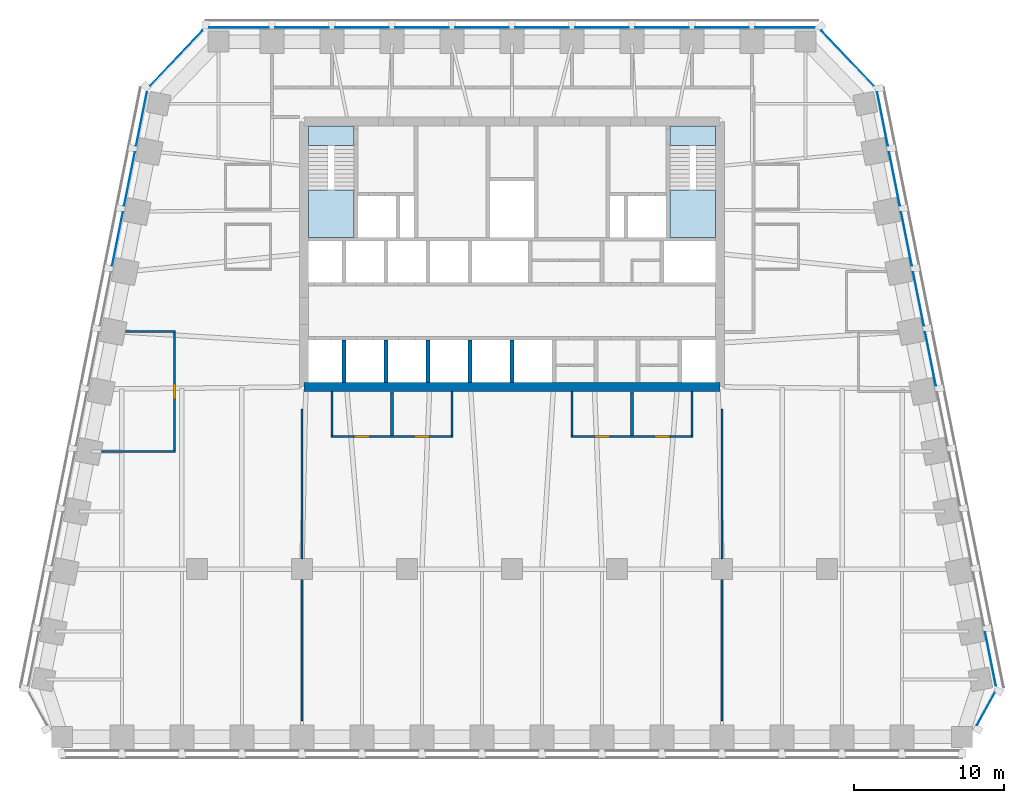
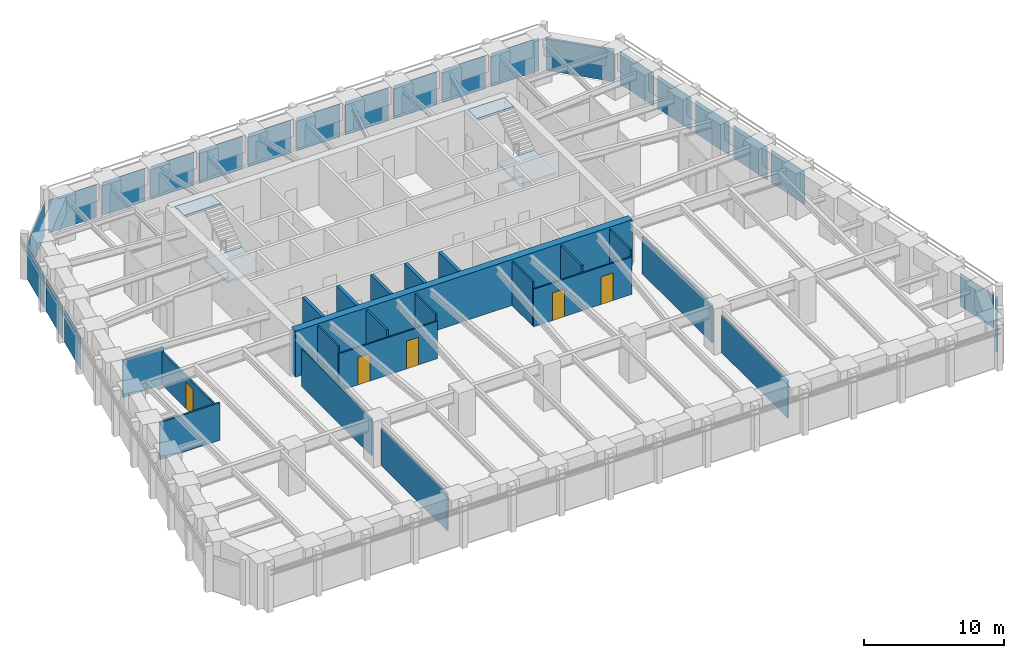
# One storey, part 5 of 10: 22 plates, 21 walls, 5 doors, 4 slabs, 5 openings, 8 elements without a shape of their own.
"""IFC4 building model written with IfcOpenShell, lengths in metres."""

from ifc_helpers import new_model, si_unit, direction, frame, frame_2d, origin, origin_2d, place, context, subcontext, project, spatial, polyline, rectangle, outline, extrude, material, layer, layer_set, type_object, element, fill, aggregate, save


model = new_model("IFC4")

# Units and contexts
model_context = context("Model", 3, precision=1e-05, world=origin(), true_north=direction((0.0, 1.0)))
body_context = subcontext(model_context, "Body", "Model", "MODEL_VIEW")
ifc_project = project(units=[si_unit("LENGTHUNIT", "METRE"), si_unit("AREAUNIT", "SQUARE_METRE"), si_unit("VOLUMEUNIT", "CUBIC_METRE"), si_unit("PLANEANGLEUNIT", "RADIAN"), si_unit("MASSUNIT", "GRAM", prefix="KILO")], contexts=[model_context])

# Site, building, storey
site_placement = place(None, origin())
site = spatial("IfcSite", under=ifc_project, at=site_placement, CompositionType="ELEMENT")
building_placement = place(site_placement, origin())
building = spatial("IfcBuilding", under=site, at=building_placement, Name="Isbrekke Arena Tower", CompositionType="ELEMENT")
storey_placement = place(building_placement, frame((0.0, 0.0, 222.0)))
storey = spatial("IfcBuildingStorey", under=building, at=storey_placement, Name="L51", CompositionType="ELEMENT", Elevation=222.0)

# Curtain wall, plate
ifc_material_1 = material(Name="Glazed aluminium curtain wall", Category="aluminium")
curtain_wall_type = type_object("IfcCurtainWallType", Name="CWH TOWER CURTAIN WALL HIGH ZONE", PredefinedType="USERDEFINED", material=ifc_material_1)
curtain_wall_1_placement = place(storey_placement, origin())
curtain_wall_1 = element("IfcCurtainWall", 1, at=curtain_wall_1_placement, inside=storey, type_object=curtain_wall_type, Name="CWH curtain wall L51-SE", ObjectType="TOWER CURTAIN WALL HIGH ZONE", PredefinedType="USERDEFINED")
ifc_material_2 = material(Name="Triple-glazed clear glass unit", Category="glass")
ifc_layer_1 = layer(ifc_material_2, 0.031982421875)
ifc_layer_set_1 = layer_set([ifc_layer_1], Name="CWH-P VISION PANEL")
plate_type = type_object("IfcPlateType", Name="CWH-P VISION PANEL", PredefinedType="CURTAIN_PANEL", material=ifc_layer_set_1)
plate_1_placement = place(storey_placement, frame((31.5908203125, -15.3154296875, 0.02001953125), z_axis=(0.0, 0.0, 1.0), x_axis=(0.481918749773, 0.876215908676, 0.0)))
plate_1 = element("IfcPlate", 2, at=plate_1_placement, type_object=plate_type, Name="CWH-P panel 1", PredefinedType="CURTAIN_PANEL", context=body_context, shape_type="SweptSolid", body=[
    extrude(rectangle(XDim=2.4423828125, YDim=0.031982421875, at=origin_2d()), origin(), (0.0, 0.0, 1.0), 2.8798828125),
])
aggregate(curtain_wall_1, [plate_1])

# Curtain wall, plates
curtain_wall_2_placement = place(storey_placement, origin())
curtain_wall_2 = element("IfcCurtainWall", 3, at=curtain_wall_2_placement, inside=storey, type_object=curtain_wall_type, Name="CWH curtain wall L51-E", ObjectType="TOWER CURTAIN WALL HIGH ZONE", PredefinedType="USERDEFINED")
plate_2_placement = place(storey_placement, frame((31.89794921875, -11.98046875, 0.02001953125), z_axis=(0.0, 0.0, 1.0), x_axis=(-0.196116135138, 0.980580675691, 0.0)))
plate_2 = element("IfcPlate", 4, at=plate_2_placement, type_object=plate_type, Name="CWH-P panel 1", PredefinedType="CURTAIN_PANEL", context=body_context, shape_type="SweptSolid", body=[
    extrude(rectangle(XDim=3.629150390625, YDim=0.031982421875, at=origin_2d()), origin(), (0.0, 0.0, 1.0), 2.8798828125),
])
plate_3_placement = place(storey_placement, frame((27.89794921875, 8.01953125, 0.02001953125), z_axis=(0.0, 0.0, 1.0), x_axis=(-0.196116135138, 0.980580675691, 0.0)))
plate_3 = element("IfcPlate", 5, at=plate_3_placement, type_object=plate_type, Name="CWH-P panel 6", PredefinedType="CURTAIN_PANEL", context=body_context, shape_type="SweptSolid", body=[
    extrude(rectangle(XDim=3.629150390625, YDim=0.031982421875, at=origin_2d()), origin(), (0.0, 0.0, 1.0), 2.8798828125),
])
plate_4_placement = place(storey_placement, frame((27.09814453125, 12.01953125, 0.02001953125), z_axis=(0.0, 0.0, 1.0), x_axis=(-0.196116135138, 0.980580675691, 0.0)))
plate_4 = element("IfcPlate", 6, at=plate_4_placement, type_object=plate_type, Name="CWH-P panel 7", PredefinedType="CURTAIN_PANEL", context=body_context, shape_type="SweptSolid", body=[
    extrude(rectangle(XDim=3.629150390625, YDim=0.031982421875, at=origin_2d()), origin(), (0.0, 0.0, 1.0), 2.8798828125),
])
plate_5_placement = place(storey_placement, frame((26.298095703125, 16.01953125, 0.02001953125), z_axis=(0.0, 0.0, 1.0), x_axis=(-0.196116135138, 0.980580675691, 0.0)))
plate_5 = element("IfcPlate", 7, at=plate_5_placement, type_object=plate_type, Name="CWH-P panel 8", PredefinedType="CURTAIN_PANEL", context=body_context, shape_type="SweptSolid", body=[
    extrude(rectangle(XDim=3.629150390625, YDim=0.031982421875, at=origin_2d()), origin(), (0.0, 0.0, 1.0), 2.8798828125),
])
plate_6_placement = place(storey_placement, frame((25.498046875, 20.01953125, 0.02001953125), z_axis=(0.0, 0.0, 1.0), x_axis=(-0.196116135138, 0.980580675691, 0.0)))
plate_6 = element("IfcPlate", 8, at=plate_6_placement, type_object=plate_type, Name="CWH-P panel 9", PredefinedType="CURTAIN_PANEL", context=body_context, shape_type="SweptSolid", body=[
    extrude(rectangle(XDim=3.629150390625, YDim=0.031982421875, at=origin_2d()), origin(), (0.0, 0.0, 1.0), 2.8798828125),
])
plate_7_placement = place(storey_placement, frame((24.697998046875, 24.01953125, 0.02001953125), z_axis=(0.0, 0.0, 1.0), x_axis=(-0.196116135138, 0.980580675691, 0.0)))
plate_7 = element("IfcPlate", 9, at=plate_7_placement, type_object=plate_type, Name="CWH-P panel 10", PredefinedType="CURTAIN_PANEL", context=body_context, shape_type="SweptSolid", body=[
    extrude(rectangle(XDim=3.629150390625, YDim=0.031982421875, at=origin_2d()), origin(), (0.0, 0.0, 1.0), 2.8798828125),
])
aggregate(curtain_wall_2, [plate_2, plate_3, plate_4, plate_5, plate_6, plate_7])

# Curtain wall, plate
curtain_wall_3_placement = place(storey_placement, origin())
curtain_wall_3 = element("IfcCurtainWall", 10, at=curtain_wall_3_placement, inside=storey, type_object=curtain_wall_type, Name="CWH curtain wall L51-EN", ObjectType="TOWER CURTAIN WALL HIGH ZONE", PredefinedType="USERDEFINED")
plate_8_placement = place(storey_placement, frame((22.37255859375, 28.06884765625, 0.02001953125), z_axis=(0.0, 0.0, 1.0), x_axis=(-0.68874946192, 0.72499943359, 0.0)))
plate_8 = element("IfcPlate", 11, at=plate_8_placement, type_object=plate_type, Name="CWH-P panel 1", PredefinedType="CURTAIN_PANEL", context=body_context, shape_type="SweptSolid", body=[
    extrude(rectangle(XDim=5.067138671875, YDim=0.031982421875, at=origin_2d()), origin(), (0.0, 0.0, 1.0), 2.8798828125),
])
aggregate(curtain_wall_3, [plate_8])

# Curtain wall, plates
curtain_wall_4_placement = place(storey_placement, origin())
curtain_wall_4 = element("IfcCurtainWall", 12, at=curtain_wall_4_placement, inside=storey, type_object=curtain_wall_type, Name="CWH curtain wall L51-N", ObjectType="TOWER CURTAIN WALL HIGH ZONE", PredefinedType="USERDEFINED")
plate_9_placement = place(storey_placement, frame((18.199951171875, 30.10009765625, 0.02001953125), z_axis=(0.0, 0.0, 1.0), x_axis=(-1.0, 0.0, 0.0)))
plate_9 = element("IfcPlate", 13, at=plate_9_placement, type_object=plate_type, Name="CWH-P panel 1", PredefinedType="CURTAIN_PANEL", context=body_context, shape_type="SweptSolid", body=[
    extrude(rectangle(XDim=3.949951171875, YDim=0.031982421875, at=origin_2d()), origin(), (0.0, 0.0, 1.0), 2.8798828125),
])
plate_10_placement = place(storey_placement, frame((14.0, 30.10009765625, 0.02001953125), z_axis=(0.0, 0.0, 1.0), x_axis=(-1.0, 0.0, 0.0)))
plate_10 = element("IfcPlate", 14, at=plate_10_placement, type_object=plate_type, Name="CWH-P panel 2", PredefinedType="CURTAIN_PANEL", context=body_context, shape_type="SweptSolid", body=[
    extrude(rectangle(XDim=3.550048828125, YDim=0.031982421875, at=origin_2d()), origin(), (0.0, 0.0, 1.0), 2.8798828125),
])
plate_11_placement = place(storey_placement, frame((10.0, 30.10009765625, 0.02001953125), z_axis=(0.0, 0.0, 1.0), x_axis=(-1.0, 0.0, 0.0)))
plate_11 = element("IfcPlate", 15, at=plate_11_placement, type_object=plate_type, Name="CWH-P panel 3", PredefinedType="CURTAIN_PANEL", context=body_context, shape_type="SweptSolid", body=[
    extrude(rectangle(XDim=3.550048828125, YDim=0.031982421875, at=origin_2d()), origin(), (0.0, 0.0, 1.0), 2.8798828125),
])
plate_12_placement = place(storey_placement, frame((6.0, 30.10009765625, 0.02001953125), z_axis=(0.0, 0.0, 1.0), x_axis=(-1.0, 0.0, 0.0)))
plate_12 = element("IfcPlate", 16, at=plate_12_placement, type_object=plate_type, Name="CWH-P panel 4", PredefinedType="CURTAIN_PANEL", context=body_context, shape_type="SweptSolid", body=[
    extrude(rectangle(XDim=3.550048828125, YDim=0.031982421875, at=origin_2d()), origin(), (0.0, 0.0, 1.0), 2.8798828125),
])
plate_13_placement = place(storey_placement, frame((2.0, 30.10009765625, 0.02001953125), z_axis=(0.0, 0.0, 1.0), x_axis=(-1.0, 0.0, 0.0)))
plate_13 = element("IfcPlate", 17, at=plate_13_placement, type_object=plate_type, Name="CWH-P panel 5", PredefinedType="CURTAIN_PANEL", context=body_context, shape_type="SweptSolid", body=[
    extrude(rectangle(XDim=3.550048828125, YDim=0.031982421875, at=origin_2d()), origin(), (0.0, 0.0, 1.0), 2.8798828125),
])
plate_14_placement = place(storey_placement, frame((-2.0, 30.10009765625, 0.02001953125), z_axis=(0.0, 0.0, 1.0), x_axis=(-1.0, 0.0, 0.0)))
plate_14 = element("IfcPlate", 18, at=plate_14_placement, type_object=plate_type, Name="CWH-P panel 6", PredefinedType="CURTAIN_PANEL", context=body_context, shape_type="SweptSolid", body=[
    extrude(rectangle(XDim=3.550048828125, YDim=0.031982421875, at=origin_2d()), origin(), (0.0, 0.0, 1.0), 2.8798828125),
])
plate_15_placement = place(storey_placement, frame((-6.0, 30.10009765625, 0.02001953125), z_axis=(0.0, 0.0, 1.0), x_axis=(-1.0, 0.0, 0.0)))
plate_15 = element("IfcPlate", 19, at=plate_15_placement, type_object=plate_type, Name="CWH-P panel 7", PredefinedType="CURTAIN_PANEL", context=body_context, shape_type="SweptSolid", body=[
    extrude(rectangle(XDim=3.550048828125, YDim=0.031982421875, at=origin_2d()), origin(), (0.0, 0.0, 1.0), 2.8798828125),
])
plate_16_placement = place(storey_placement, frame((-10.0, 30.10009765625, 0.02001953125), z_axis=(0.0, 0.0, 1.0), x_axis=(-1.0, 0.0, 0.0)))
plate_16 = element("IfcPlate", 20, at=plate_16_placement, type_object=plate_type, Name="CWH-P panel 8", PredefinedType="CURTAIN_PANEL", context=body_context, shape_type="SweptSolid", body=[
    extrude(rectangle(XDim=3.550048828125, YDim=0.031982421875, at=origin_2d()), origin(), (0.0, 0.0, 1.0), 2.8798828125),
])
plate_17_placement = place(storey_placement, frame((-14.0, 30.10009765625, 0.02001953125), z_axis=(0.0, 0.0, 1.0), x_axis=(-1.0, 0.0, 0.0)))
plate_17 = element("IfcPlate", 21, at=plate_17_placement, type_object=plate_type, Name="CWH-P panel 9", PredefinedType="CURTAIN_PANEL", context=body_context, shape_type="SweptSolid", body=[
    extrude(rectangle(XDim=3.550048828125, YDim=0.031982421875, at=origin_2d()), origin(), (0.0, 0.0, 1.0), 2.8798828125),
])
plate_18_placement = place(storey_placement, frame((-18.199951171875, 30.10009765625, 0.02001953125), z_axis=(0.0, 0.0, 1.0), x_axis=(-1.0, 0.0, 0.0)))
plate_18 = element("IfcPlate", 22, at=plate_18_placement, type_object=plate_type, Name="CWH-P panel 10", PredefinedType="CURTAIN_PANEL", context=body_context, shape_type="SweptSolid", body=[
    extrude(rectangle(XDim=3.949951171875, YDim=0.031982421875, at=origin_2d()), origin(), (0.0, 0.0, 1.0), 2.8798828125),
])
aggregate(curtain_wall_4, [plate_9, plate_10, plate_11, plate_12, plate_13, plate_14, plate_15, plate_16, plate_17, plate_18])

# Curtain wall, plate
curtain_wall_5_placement = place(storey_placement, origin())
curtain_wall_5 = element("IfcCurtainWall", 23, at=curtain_wall_5_placement, inside=storey, type_object=curtain_wall_type, Name="CWH curtain wall L51-NW", ObjectType="TOWER CURTAIN WALL HIGH ZONE", PredefinedType="USERDEFINED")
plate_19_placement = place(storey_placement, frame((-22.37255859375, 28.06884765625, 0.02001953125), z_axis=(0.0, 0.0, 1.0), x_axis=(-0.68874946192, -0.72499943359, 0.0)))
plate_19 = element("IfcPlate", 24, at=plate_19_placement, type_object=plate_type, Name="CWH-P panel 1", PredefinedType="CURTAIN_PANEL", context=body_context, shape_type="SweptSolid", body=[
    extrude(rectangle(XDim=5.067138671875, YDim=0.031982421875, at=origin_2d()), origin(), (0.0, 0.0, 1.0), 2.8798828125),
])
aggregate(curtain_wall_5, [plate_19])

# Curtain wall, plates
curtain_wall_6_placement = place(storey_placement, origin())
curtain_wall_6 = element("IfcCurtainWall", 25, at=curtain_wall_6_placement, inside=storey, type_object=curtain_wall_type, Name="CWH curtain wall L51-W", ObjectType="TOWER CURTAIN WALL HIGH ZONE", PredefinedType="USERDEFINED")
plate_20_placement = place(storey_placement, frame((-24.697998046875, 24.01953125, 0.02001953125), z_axis=(0.0, 0.0, 1.0), x_axis=(-0.196116135138, -0.980580675691, 0.0)))
plate_20 = element("IfcPlate", 26, at=plate_20_placement, type_object=plate_type, Name="CWH-P panel 1", PredefinedType="CURTAIN_PANEL", context=body_context, shape_type="SweptSolid", body=[
    extrude(rectangle(XDim=3.629150390625, YDim=0.031982421875, at=origin_2d()), origin(), (0.0, 0.0, 1.0), 2.8798828125),
])
plate_21_placement = place(storey_placement, frame((-25.498046875, 20.01953125, 0.02001953125), z_axis=(0.0, 0.0, 1.0), x_axis=(-0.196116135138, -0.980580675691, 0.0)))
plate_21 = element("IfcPlate", 27, at=plate_21_placement, type_object=plate_type, Name="CWH-P panel 2", PredefinedType="CURTAIN_PANEL", context=body_context, shape_type="SweptSolid", body=[
    extrude(rectangle(XDim=3.629150390625, YDim=0.031982421875, at=origin_2d()), origin(), (0.0, 0.0, 1.0), 2.8798828125),
])
plate_22_placement = place(storey_placement, frame((-26.298095703125, 16.01953125, 0.02001953125), z_axis=(0.0, 0.0, 1.0), x_axis=(-0.196116135138, -0.980580675691, 0.0)))
plate_22 = element("IfcPlate", 28, at=plate_22_placement, type_object=plate_type, Name="CWH-P panel 3", PredefinedType="CURTAIN_PANEL", context=body_context, shape_type="SweptSolid", body=[
    extrude(rectangle(XDim=3.629150390625, YDim=0.031982421875, at=origin_2d()), origin(), (0.0, 0.0, 1.0), 2.8798828125),
])
aggregate(curtain_wall_6, [plate_20, plate_21, plate_22])

# Stair, slabs
ifc_material_3 = material(Name="Concrete B45 (C45/55) precast", Category="concrete")
stair_type = type_object("IfcStairType", Name="ST40 STAIR 1300 WIDE, 24 RISERS 167", PredefinedType="HALF_TURN_STAIR", material=ifc_material_3)
stair_1_placement = place(storey_placement, origin())
stair_1 = element("IfcStair", 29, at=stair_1_placement, inside=storey, type_object=stair_type, Name="ST1 stair L51", PredefinedType="HALF_TURN_STAIR")
ifc_material_4 = material(Name="Concrete B35 (C35/45)", Category="concrete")
ifc_layer_2 = layer(ifc_material_4, 0.199951171875)
ifc_layer_set_2 = layer_set([ifc_layer_2], Name="SL1 STAIR LANDING 200")
slab_type = type_object("IfcSlabType", Name="SL1 STAIR LANDING 200", PredefinedType="LANDING", material=ifc_layer_set_2)
slab_1_placement = place(storey_placement, frame((0.0, 0.0, 1.800048828125)))
slab_1 = element("IfcSlab", 30, at=slab_1_placement, type_object=slab_type, Name="ST1 landing 1", PredefinedType="LANDING", context=body_context, shape_type="SweptSolid", body=[
    extrude(outline(polyline([(-13.550048828125, 16.125), (-10.52490234375, 16.125), (-10.52490234375, 19.280029296875), (-13.550048828125, 19.280029296875), (-13.550048828125, 16.125)])), origin(), (0.0, 0.0, 1.0), 0.199951171875),
])
slab_2_placement = place(storey_placement, frame((0.0, 0.0, 3.800048828125)))
slab_2 = element("IfcSlab", 31, at=slab_2_placement, type_object=slab_type, Name="ST1 landing 2", PredefinedType="LANDING", context=body_context, shape_type="SweptSolid", body=[
    extrude(outline(polyline([(-13.550048828125, 22.25), (-10.52490234375, 22.25), (-10.52490234375, 23.550048828125), (-13.550048828125, 23.550048828125), (-13.550048828125, 22.25)])), origin(), (0.0, 0.0, 1.0), 0.199951171875),
])
aggregate(stair_1, [slab_1, slab_2])

stair_2_placement = place(storey_placement, origin())
stair_2 = element("IfcStair", 32, at=stair_2_placement, inside=storey, type_object=stair_type, Name="ST2 stair L51", PredefinedType="HALF_TURN_STAIR")
slab_3_placement = place(storey_placement, frame((0.0, 0.0, 1.800048828125)))
slab_3 = element("IfcSlab", 33, at=slab_3_placement, type_object=slab_type, Name="ST2 landing 1", PredefinedType="LANDING", context=body_context, shape_type="SweptSolid", body=[
    extrude(outline(polyline([(10.52490234375, 16.125), (13.550048828125, 16.125), (13.550048828125, 19.280029296875), (10.52490234375, 19.280029296875), (10.52490234375, 16.125)])), origin(), (0.0, 0.0, 1.0), 0.199951171875),
])
slab_4_placement = place(storey_placement, frame((0.0, 0.0, 3.800048828125)))
slab_4 = element("IfcSlab", 34, at=slab_4_placement, type_object=slab_type, Name="ST2 landing 2", PredefinedType="LANDING", context=body_context, shape_type="SweptSolid", body=[
    extrude(outline(polyline([(10.52490234375, 22.25), (13.550048828125, 22.25), (13.550048828125, 23.550048828125), (10.52490234375, 23.550048828125), (10.52490234375, 22.25)])), origin(), (0.0, 0.0, 1.0), 0.199951171875),
])
aggregate(stair_2, [slab_3, slab_4])

# Walls
ifc_material_5 = material(Name="Concrete B55 (C55/67)", Category="concrete")
ifc_layer_3 = layer(ifc_material_5, 0.60009765625)
ifc_layer_set_3 = layer_set([ifc_layer_3], Name="CW4 CORE WALL 600")
wall_type_1 = type_object("IfcWallType", Name="CW4 CORE WALL 600", PredefinedType="SHEAR", material=ifc_layer_set_3)
wall_1_placement = place(storey_placement, frame((-13.85009765625, 6.14990234375, 0.0), z_axis=(0.0, 0.0, 1.0), x_axis=(1.0, 0.0, 0.0)))
element("IfcWall", 35, at=wall_1_placement, inside=storey, type_object=wall_type_1, Name="Core wall S L51", PredefinedType="SHEAR", context=body_context, shape_type="SweptSolid", body=[
    extrude(rectangle(XDim=27.7001953125, YDim=0.60009765625, at=frame_2d((13.85009765625, 0.0))), origin(), (0.0, 0.0, 1.0), 4.0),
])
ifc_material_6 = material(Name="Concrete B45 (C45/55)", Category="concrete")
ifc_layer_4 = layer(ifc_material_6, 0.25)
ifc_layer_set_4 = layer_set([ifc_layer_4], Name="CW6 SHAFT WALL 250")
wall_type_2 = type_object("IfcWallType", Name="CW6 SHAFT WALL 250", PredefinedType="SHEAR", material=ifc_layer_set_4)
for number, where, z_axis, x_axis, name in (
    (36, (-11.199951171875, 6.449951171875, 0.0), (0.0, 0.0, 1.0), (0.0, 1.0, 0.0), "Core wall SS01 L51"),
    (37, (-8.39990234375, 6.449951171875, 0.0), (0.0, 0.0, 1.0), (0.0, 1.0, 0.0), "Core wall SS02 L51"),
    (38, (-5.60009765625, 6.449951171875, 0.0), (0.0, 0.0, 1.0), (0.0, 1.0, 0.0), "Core wall SS03 L51"),
    (39, (-2.800048828125, 6.449951171875, 0.0), (0.0, 0.0, 1.0), (0.0, 1.0, 0.0), "Core wall SS04 L51"),
    (40, (0.0, 6.449951171875, 0.0), (0.0, 0.0, 1.0), (0.0, 1.0, 0.0), "Core wall SS05 L51"),
):
    element("IfcWall", number, at=place(storey_placement, frame(where, z_axis=z_axis, x_axis=x_axis)), inside=storey, type_object=wall_type_2, Name=name, PredefinedType="SHEAR", context=body_context, shape_type="SweptSolid", body=[
        extrude(rectangle(XDim=2.824951171875, YDim=0.25, at=frame_2d((1.41259765625, 0.0))), origin(), (0.0, 0.0, 1.0), 4.0),
    ])
ifc_material_7 = material(Name="Gypsum board partition on steel studs", Category="steel")
ifc_layer_5 = layer(ifc_material_7, 0.14990234375)
ifc_layer_set_5 = layer_set([ifc_layer_5], Name="IW1 PARTITION 150")
wall_type_3 = type_object("IfcWallType", Name="IW1 PARTITION 150", PredefinedType="PARTITIONING", material=ifc_layer_set_5)
wall_2_placement = place(storey_placement, frame((-27.374755859375, 1.840087890625, 0.0), z_axis=(0.0, 0.0, 1.0), x_axis=(1.0, 0.0, 0.0)))
element("IfcWall", 41, at=wall_2_placement, inside=storey, type_object=wall_type_3, Name="IW1 partition 150 L51", PredefinedType="PARTITIONING", context=body_context, shape_type="SweptSolid", body=[
    extrude(rectangle(XDim=4.94970703125, YDim=0.14990234375, at=frame_2d((2.474853515625, 0.0))), origin(), (0.0, 0.0, 1.0), 3.25),
])
wall_3_placement = place(storey_placement, frame((-25.77490234375, 9.840087890625, 0.0), z_axis=(0.0, 0.0, 1.0), x_axis=(1.0, 0.0, 0.0)))
element("IfcWall", 42, at=wall_3_placement, inside=storey, type_object=wall_type_3, Name="IW1 partition 150 L51", PredefinedType="PARTITIONING", context=body_context, shape_type="SweptSolid", body=[
    extrude(rectangle(XDim=3.349853515625, YDim=0.14990234375, at=frame_2d((1.6748046875, 0.0))), origin(), (0.0, 0.0, 1.0), 3.25),
])

# Wall, opening, door
wall_4_placement = place(storey_placement, frame((-22.5, 1.9150390625, 0.0), z_axis=(0.0, 0.0, 1.0), x_axis=(0.0, 1.0, 0.0)))
wall_4 = element("IfcWall", 43, at=wall_4_placement, inside=storey, type_object=wall_type_3, Name="IW1 partition 150 L51", PredefinedType="PARTITIONING", context=body_context, shape_type="SweptSolid", body=[
    extrude(rectangle(XDim=7.849853515625, YDim=0.14990234375, at=frame_2d((3.9248046875, 0.0))), origin(), (0.0, 0.0, 1.0), 2.842041015625),
])
opening_1_placement = place(wall_4_placement, frame((3.425048828125, 0.0, 0.0)))
opening_1 = element("IfcOpeningElement", 44, at=opening_1_placement, cuts=wall_4, Name="Opening D10", PredefinedType="OPENING", context=body_context, shape_type="SweptSolid", body=[
    extrude(rectangle(XDim=1.0, YDim=2.300048828125, at=frame_2d((0.5, 1.14990234375))), frame((0.0, 0.08984375, 0.0), z_axis=(0.0, -1.0, 0.0), x_axis=(1.0, 0.0, 0.0)), (0.0, 0.0, 1.0), 0.1796875),
])
ifc_material_8 = material(Name="Timber door", Category="wood")
door_type_1 = type_object("IfcDoorType", Name="D10 OFFICE DOOR 1000 x 2300", OperationType="SINGLE_SWING_LEFT", PredefinedType="DOOR", material=ifc_material_8)
door_1_placement = place(opening_1_placement, origin())
door_1 = element("IfcDoor", 45, at=door_1_placement, inside=storey, type_object=door_type_1, Name="D10 pantry door L51", OperationType="SINGLE_SWING_LEFT", OverallHeight=2.300048828125, OverallWidth=1.0, PredefinedType="DOOR", context=body_context, shape_type="SweptSolid", body=[
    extrude(rectangle(XDim=1.0, YDim=2.300048828125, at=frame_2d((0.5, 1.14990234375))), frame((0.0, 0.07470703125, 0.0), z_axis=(0.0, -1.0, 0.0), x_axis=(1.0, 0.0, 0.0)), (0.0, 0.0, 1.0), 0.1494140625),
])
fill(opening_1, door_1)

# Wall, openings, doors
ifc_material_9 = material(Name="Frameless glazed partition, laminated acoustic glass", Category="glass")
ifc_layer_6 = layer(ifc_material_9, 0.1201171875)
ifc_layer_set_6 = layer_set([ifc_layer_6], Name="IW2 GLAZED PARTITION 120")
wall_type_4 = type_object("IfcWallType", Name="IW2 GLAZED PARTITION 120", PredefinedType="PARTITIONING", material=ifc_layer_set_6)
wall_5_placement = place(storey_placement, frame((-12.06005859375, 2.85009765625, 0.0), z_axis=(0.0, 0.0, 1.0), x_axis=(1.0, 0.0, 0.0)))
wall_5 = element("IfcWall", 46, at=wall_5_placement, inside=storey, type_object=wall_type_4, Name="IW2 glazed partition 120 L51", PredefinedType="PARTITIONING", context=body_context, shape_type="SweptSolid", body=[
    extrude(rectangle(XDim=8.1201171875, YDim=0.1201171875, at=frame_2d((4.06005859375, 0.0))), origin(), (0.0, 0.0, 1.0), 3.25),
])
opening_2_placement = place(wall_5_placement, frame((1.56005859375, 0.0, 0.0)))
opening_2 = element("IfcOpeningElement", 47, at=opening_2_placement, cuts=wall_5, Name="Opening D11", PredefinedType="OPENING", context=body_context, shape_type="SweptSolid", body=[
    extrude(rectangle(XDim=1.0, YDim=2.39990234375, at=frame_2d((0.5, 1.199951171875))), frame((0.0, 0.074951171875, 0.0), z_axis=(0.0, -1.0, 0.0), x_axis=(1.0, 0.0, 0.0)), (0.0, 0.0, 1.0), 0.14990234375),
])
opening_3_placement = place(wall_5_placement, frame((5.56005859375, 0.0, 0.0)))
opening_3 = element("IfcOpeningElement", 48, at=opening_3_placement, cuts=wall_5, Name="Opening D11", PredefinedType="OPENING", context=body_context, shape_type="SweptSolid", body=[
    extrude(rectangle(XDim=1.0, YDim=2.39990234375, at=frame_2d((0.5, 1.199951171875))), frame((0.0, 0.074951171875, 0.0), z_axis=(0.0, -1.0, 0.0), x_axis=(1.0, 0.0, 0.0)), (0.0, 0.0, 1.0), 0.14990234375),
])
ifc_material_10 = material(Name="Frameless glazed door", Category="glass")
door_type_2 = type_object("IfcDoorType", Name="D11 GLAZED MEETING ROOM DOOR 1000 x 2400", OperationType="SINGLE_SWING_RIGHT", PredefinedType="DOOR", material=ifc_material_10)
door_2_placement = place(opening_2_placement, origin())
door_2 = element("IfcDoor", 49, at=door_2_placement, inside=storey, type_object=door_type_2, Name="D11 quiet room door L51", OperationType="SINGLE_SWING_RIGHT", OverallHeight=2.39990234375, OverallWidth=1.0, PredefinedType="DOOR", context=body_context, shape_type="SweptSolid", body=[
    extrude(rectangle(XDim=1.0, YDim=2.39990234375, at=frame_2d((0.5, 1.199951171875))), frame((0.0, 0.059814453125, 0.0), z_axis=(0.0, -1.0, 0.0), x_axis=(1.0, 0.0, 0.0)), (0.0, 0.0, 1.0), 0.11962890625),
])
fill(opening_2, door_2)
door_3_placement = place(opening_3_placement, origin())
door_3 = element("IfcDoor", 50, at=door_3_placement, inside=storey, type_object=door_type_2, Name="D11 quiet room door L51", OperationType="SINGLE_SWING_RIGHT", OverallHeight=2.39990234375, OverallWidth=1.0, PredefinedType="DOOR", context=body_context, shape_type="SweptSolid", body=[
    extrude(rectangle(XDim=1.0, YDim=2.39990234375, at=frame_2d((0.5, 1.199951171875))), frame((0.0, 0.059814453125, 0.0), z_axis=(0.0, -1.0, 0.0), x_axis=(1.0, 0.0, 0.0)), (0.0, 0.0, 1.0), 0.11962890625),
])
fill(opening_3, door_3)

wall_6_placement = place(storey_placement, frame((3.93994140625, 2.85009765625, 0.0), z_axis=(0.0, 0.0, 1.0), x_axis=(1.0, 0.0, 0.0)))
wall_6 = element("IfcWall", 51, at=wall_6_placement, inside=storey, type_object=wall_type_4, Name="IW2 glazed partition 120 L51", PredefinedType="PARTITIONING", context=body_context, shape_type="SweptSolid", body=[
    extrude(rectangle(XDim=8.1201171875, YDim=0.1201171875, at=frame_2d((4.06005859375, 0.0))), origin(), (0.0, 0.0, 1.0), 3.25),
])
opening_4_placement = place(wall_6_placement, frame((1.56005859375, 0.0, 0.0)))
opening_4 = element("IfcOpeningElement", 52, at=opening_4_placement, cuts=wall_6, Name="Opening D11", PredefinedType="OPENING", context=body_context, shape_type="SweptSolid", body=[
    extrude(rectangle(XDim=1.0, YDim=2.39990234375, at=frame_2d((0.5, 1.199951171875))), frame((0.0, 0.074951171875, 0.0), z_axis=(0.0, -1.0, 0.0), x_axis=(1.0, 0.0, 0.0)), (0.0, 0.0, 1.0), 0.14990234375),
])
opening_5_placement = place(wall_6_placement, frame((5.56005859375, 0.0, 0.0)))
opening_5 = element("IfcOpeningElement", 53, at=opening_5_placement, cuts=wall_6, Name="Opening D11", PredefinedType="OPENING", context=body_context, shape_type="SweptSolid", body=[
    extrude(rectangle(XDim=1.0, YDim=2.39990234375, at=frame_2d((0.5, 1.199951171875))), frame((0.0, 0.074951171875, 0.0), z_axis=(0.0, -1.0, 0.0), x_axis=(1.0, 0.0, 0.0)), (0.0, 0.0, 1.0), 0.14990234375),
])
door_4_placement = place(opening_4_placement, origin())
door_4 = element("IfcDoor", 54, at=door_4_placement, inside=storey, type_object=door_type_2, Name="D11 quiet room door L51", OperationType="SINGLE_SWING_RIGHT", OverallHeight=2.39990234375, OverallWidth=1.0, PredefinedType="DOOR", context=body_context, shape_type="SweptSolid", body=[
    extrude(rectangle(XDim=1.0, YDim=2.39990234375, at=frame_2d((0.5, 1.199951171875))), frame((0.0, 0.059814453125, 0.0), z_axis=(0.0, -1.0, 0.0), x_axis=(1.0, 0.0, 0.0)), (0.0, 0.0, 1.0), 0.11962890625),
])
fill(opening_4, door_4)
door_5_placement = place(opening_5_placement, origin())
door_5 = element("IfcDoor", 55, at=door_5_placement, inside=storey, type_object=door_type_2, Name="D11 quiet room door L51", OperationType="SINGLE_SWING_RIGHT", OverallHeight=2.39990234375, OverallWidth=1.0, PredefinedType="DOOR", context=body_context, shape_type="SweptSolid", body=[
    extrude(rectangle(XDim=1.0, YDim=2.39990234375, at=frame_2d((0.5, 1.199951171875))), frame((0.0, 0.059814453125, 0.0), z_axis=(0.0, -1.0, 0.0), x_axis=(1.0, 0.0, 0.0)), (0.0, 0.0, 1.0), 0.11962890625),
])
fill(opening_5, door_5)

# Walls
for number, where, z_axis, x_axis, name in (
    (56, (-12.0, 2.909912109375, 0.0), (0.0, 0.0, 1.0), (0.0, 1.0, 0.0), "IW2 glazed partition 120 L51"),
    (57, (-4.0, 2.909912109375, 0.0), (0.0, 0.0, 1.0), (0.0, 1.0, 0.0), "IW2 glazed partition 120 L51"),
    (58, (4.0, 2.909912109375, 0.0), (0.0, 0.0, 1.0), (0.0, 1.0, 0.0), "IW2 glazed partition 120 L51"),
    (59, (12.0, 2.909912109375, 0.0), (0.0, 0.0, 1.0), (0.0, 1.0, 0.0), "IW2 glazed partition 120 L51"),
):
    element("IfcWall", number, at=place(storey_placement, frame(where, z_axis=z_axis, x_axis=x_axis)), inside=storey, type_object=wall_type_4, Name=name, PredefinedType="PARTITIONING", context=body_context, shape_type="SweptSolid", body=[
        extrude(rectangle(XDim=2.91015625, YDim=0.1201171875, at=frame_2d((1.455078125, 0.0))), origin(), (0.0, 0.0, 1.0), 3.85009765625),
    ])
wall_7_placement = place(storey_placement, frame((-13.9990234375, -16.10009765625, 0.0), z_axis=(0.0, 0.0, 1.0), x_axis=(0.0, 1.0, 0.0)))
element("IfcWall", 60, at=wall_7_placement, inside=storey, type_object=wall_type_4, Name="IW2 glazed partition 120 L51", PredefinedType="PARTITIONING", context=body_context, shape_type="SweptSolid", body=[
    extrude(rectangle(XDim=9.400146484375, YDim=0.1201171875, at=frame_2d((4.7001953125, 0.0))), origin(), (0.0, 0.0, 1.0), 3.25),
])
wall_8_placement = place(storey_placement, frame((-13.9990234375, -5.300048828125, 0.0), z_axis=(0.0, 0.0, 1.0), x_axis=(0.0, 1.0, 0.0)))
element("IfcWall", 61, at=wall_8_placement, inside=storey, type_object=wall_type_4, Name="IW2 glazed partition 120 L51", PredefinedType="PARTITIONING", context=body_context, shape_type="SweptSolid", body=[
    extrude(rectangle(XDim=9.949951171875, YDim=0.1201171875, at=frame_2d((4.97509765625, 0.0))), origin(), (0.0, 0.0, 1.0), 3.25),
])
wall_9_placement = place(storey_placement, frame((14.0009765625, -16.10009765625, 0.0), z_axis=(0.0, 0.0, 1.0), x_axis=(0.0, 1.0, 0.0)))
element("IfcWall", 62, at=wall_9_placement, inside=storey, type_object=wall_type_4, Name="IW2 glazed partition 120 L51", PredefinedType="PARTITIONING", context=body_context, shape_type="SweptSolid", body=[
    extrude(rectangle(XDim=9.400146484375, YDim=0.1201171875, at=frame_2d((4.7001953125, 0.0))), origin(), (0.0, 0.0, 1.0), 3.25),
])
wall_10_placement = place(storey_placement, frame((14.0009765625, -5.300048828125, 0.0), z_axis=(0.0, 0.0, 1.0), x_axis=(0.0, 1.0, 0.0)))
element("IfcWall", 63, at=wall_10_placement, inside=storey, type_object=wall_type_4, Name="IW2 glazed partition 120 L51", PredefinedType="PARTITIONING", context=body_context, shape_type="SweptSolid", body=[
    extrude(rectangle(XDim=9.949951171875, YDim=0.1201171875, at=frame_2d((4.97509765625, 0.0))), origin(), (0.0, 0.0, 1.0), 3.25),
])
ifc_material_11 = material(Name="Gypsum board acoustic partition on twin steel studs", Category="steel")
ifc_layer_7 = layer(ifc_material_11, 0.175048828125)
ifc_layer_set_7 = layer_set([ifc_layer_7], Name="IW4 ACOUSTIC PARTITION 175")
wall_type_5 = type_object("IfcWallType", Name="IW4 ACOUSTIC PARTITION 175", PredefinedType="PARTITIONING", material=ifc_layer_set_7)
for number, where, z_axis, x_axis, name in (
    (64, (-8.0, 2.909912109375, 0.0), (0.0, 0.0, 1.0), (0.0, 1.0, 0.0), "IW4 acoustic partition 175 L51"),
    (65, (8.0, 2.909912109375, 0.0), (0.0, 0.0, 1.0), (0.0, 1.0, 0.0), "IW4 acoustic partition 175 L51"),
):
    element("IfcWall", number, at=place(storey_placement, frame(where, z_axis=z_axis, x_axis=x_axis)), inside=storey, type_object=wall_type_5, Name=name, PredefinedType="PARTITIONING", context=body_context, shape_type="SweptSolid", body=[
        extrude(rectangle(XDim=2.91015625, YDim=0.175048828125, at=frame_2d((1.455078125, 0.0))), origin(), (0.0, 0.0, 1.0), 3.85009765625),
    ])

save(model, "model.ifc")
